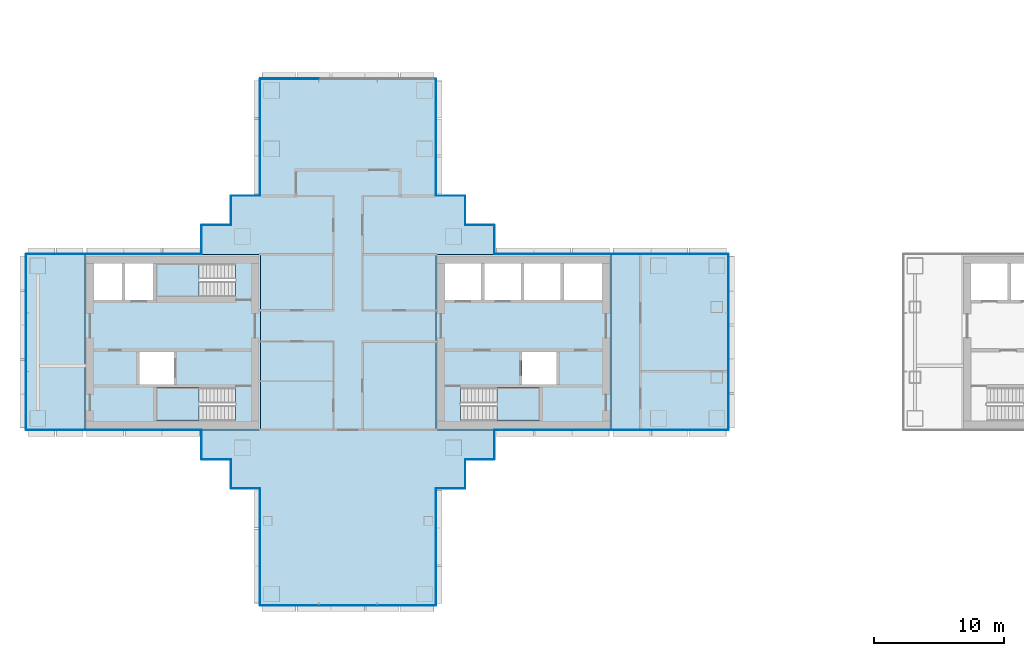
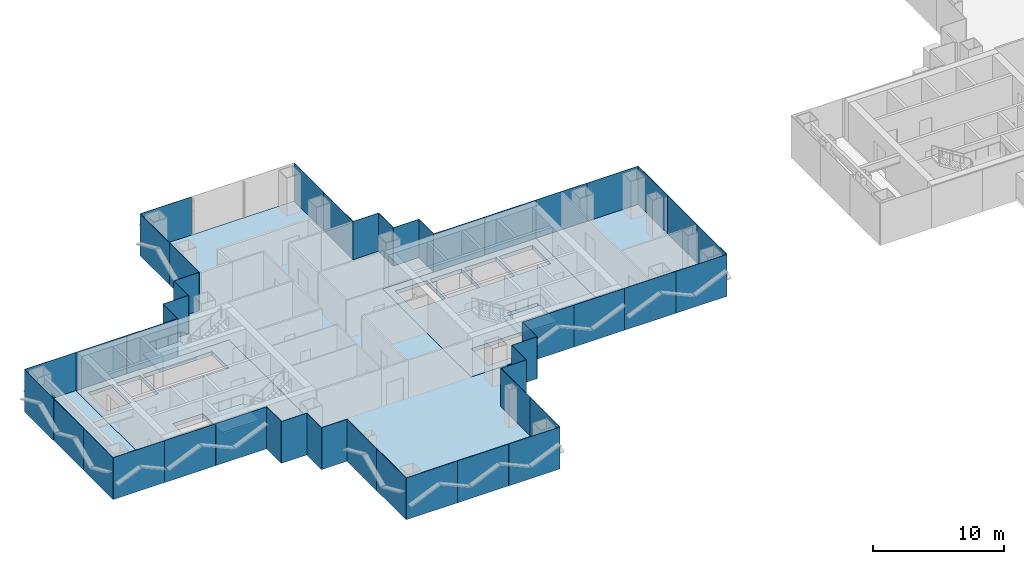
# One storey, part 8 of 19: 48 plates, 8 slabs, 23 elements without a shape of their own.
"""IFC4 building model written with IfcOpenShell, lengths in metres."""

from ifc_helpers import new_model, si_unit, direction, frame, origin, origin_2d, place, context, subcontext, project, spatial, polyline, rectangle, outline, extrude, material, layer, layer_set, type_object, element, aggregate, save


model = new_model("IFC4")

# Units and contexts
model_context = context("Model", 3, precision=1e-05, world=origin(), true_north=direction((0.0, 1.0)))
body_context = subcontext(model_context, "Body", "Model", "MODEL_VIEW")
ifc_project = project(units=[si_unit("LENGTHUNIT", "METRE"), si_unit("AREAUNIT", "SQUARE_METRE"), si_unit("VOLUMEUNIT", "CUBIC_METRE"), si_unit("PLANEANGLEUNIT", "RADIAN"), si_unit("MASSUNIT", "GRAM", prefix="KILO")], contexts=[model_context])

# Site, building, storey
site_placement = place(None, origin())
site = spatial("IfcSite", under=ifc_project, at=site_placement, CompositionType="ELEMENT")
building_placement = place(site_placement, origin())
building = spatial("IfcBuilding", under=site, at=building_placement, Name="Shamsa Quay Exchange Towers", CompositionType="ELEMENT")
storey_placement = place(building_placement, frame((0.0, 0.0, 93.60009765625)))
storey = spatial("IfcBuildingStorey", under=building, at=storey_placement, Name="L21", CompositionType="ELEMENT", Elevation=93.60009765625)

# Slabs
ifc_material_1 = material(Name="Concrete C50/60", Category="concrete")
ifc_layer_1 = layer(ifc_material_1, 0.35009765625)
ifc_layer_set_1 = layer_set([ifc_layer_1], Name="CORE FLOOR 350 C50/60")
slab_type_1 = type_object("IfcSlabType", Name="CORE FLOOR 350 C50/60", PredefinedType="FLOOR", material=ifc_layer_set_1)
slab_1_placement = place(storey_placement, frame((0.0, 0.0, -0.35009765625)))
element("IfcSlab", 1, at=slab_1_placement, inside=storey, type_object=slab_type_1, Name="Core floor T1A", PredefinedType="FLOOR", context=body_context, shape_type="SweptSolid", body=[
    extrude(outline(polyline([(-27.0, -6.75), (-13.5, -6.75), (-13.5, 6.75), (-27.0, 6.75), (-27.0, -6.75)]), holes=[polyline([(-25.099365234375, -6.050048828125), (-25.099365234375, -3.5), (-19.0, -3.5), (-19.0, -6.050048828125), (-25.099365234375, -6.050048828125)]), polyline([(-26.300048828125, 3.25), (-26.300048828125, 6.050048828125), (-23.5, 6.050048828125), (-23.5, 3.25), (-26.300048828125, 3.25)]), polyline([(-23.25, 3.25), (-23.25, 6.050048828125), (-20.449951171875, 6.050048828125), (-20.449951171875, 3.25), (-23.25, 3.25)]), polyline([(-20.199951171875, 3.25), (-20.199951171875, 6.050048828125), (-17.39990234375, 6.050048828125), (-17.39990234375, 3.25), (-20.199951171875, 3.25)]), polyline([(-17.14990234375, 3.25), (-17.14990234375, 6.050048828125), (-14.199951171875, 6.050048828125), (-14.199951171875, 3.25), (-17.14990234375, 3.25)]), polyline([(-20.35009765625, -3.25), (-20.35009765625, -0.75), (-17.699951171875, -0.75), (-17.699951171875, -3.25), (-20.35009765625, -3.25)])]), origin(), (0.0, 0.0, 1.0), 0.35009765625),
])
slab_2_placement = place(storey_placement, frame((0.0, 0.0, -0.35009765625)))
element("IfcSlab", 2, at=slab_2_placement, inside=storey, type_object=slab_type_1, Name="Core floor T1B", PredefinedType="FLOOR", context=body_context, shape_type="SweptSolid", body=[
    extrude(outline(polyline([(-40.5, -6.75), (-40.5, 6.75), (-54.0, 6.75), (-54.0, -6.75), (-40.5, -6.75)]), holes=[polyline([(-42.400634765625, -3.5), (-42.400634765625, -6.050048828125), (-48.5, -6.050048828125), (-48.5, -3.5), (-42.400634765625, -3.5)]), polyline([(-42.400634765625, 6.050048828125), (-42.400634765625, 3.5), (-48.5, 3.5), (-48.5, 6.050048828125), (-42.400634765625, 6.050048828125)]), polyline([(-48.75, 3.25), (-50.89990234375, 3.25), (-50.89990234375, 6.050048828125), (-48.75, 6.050048828125), (-48.75, 3.25)]), polyline([(-51.14990234375, 3.25), (-53.300048828125, 3.25), (-53.300048828125, 6.050048828125), (-51.14990234375, 6.050048828125), (-51.14990234375, 3.25)]), polyline([(-47.14990234375, -3.25), (-49.800048828125, -3.25), (-49.800048828125, -0.75), (-47.14990234375, -0.75), (-47.14990234375, -3.25)])]), origin(), (0.0, 0.0, 1.0), 0.35009765625),
])

# Stair, slab
ifc_material_2 = material(Name="Concrete C40/50", Category="concrete")
stair_type = type_object("IfcStairType", Name="EXIT STAIR 22 RISERS 177 MM", PredefinedType="HALF_TURN_STAIR", material=ifc_material_2)
stair_1_placement = place(storey_placement, origin())
stair_1 = element("IfcStair", 3, at=stair_1_placement, inside=storey, type_object=stair_type, Name="L21 Exit stair ST1", PredefinedType="HALF_TURN_STAIR")
ifc_layer_2 = layer(ifc_material_2, 0.199951171875)
ifc_layer_set_2 = layer_set([ifc_layer_2], Name="CORE STAIR LANDING")
slab_type_2 = type_object("IfcSlabType", Name="CORE STAIR LANDING", PredefinedType="LANDING", material=ifc_layer_set_2)
slab_3_placement = place(storey_placement, frame((0.0, 0.0, 1.75)))
slab_3 = element("IfcSlab", 4, at=slab_3_placement, type_object=slab_type_2, Name="ST1 landing 1", PredefinedType="LANDING", context=body_context, shape_type="SweptSolid", body=[
    extrude(outline(polyline([(-22.300048828125, -6.050048828125), (-19.0, -6.050048828125), (-19.0, -3.5), (-22.300048828125, -3.5), (-22.300048828125, -6.050048828125)])), origin(), (0.0, 0.0, 1.0), 0.199951171875),
])
aggregate(stair_1, [slab_3])

stair_2_placement = place(storey_placement, origin())
stair_2 = element("IfcStair", 5, at=stair_2_placement, inside=storey, type_object=stair_type, Name="L21 Exit stair ST2", PredefinedType="HALF_TURN_STAIR")
slab_4_placement = place(storey_placement, frame((0.0, 0.0, 1.75)))
slab_4 = element("IfcSlab", 6, at=slab_4_placement, type_object=slab_type_2, Name="ST2 landing 1", PredefinedType="LANDING", context=body_context, shape_type="SweptSolid", body=[
    extrude(outline(polyline([(-45.199951171875, -3.5), (-48.5, -3.5), (-48.5, -6.050048828125), (-45.199951171875, -6.050048828125), (-45.199951171875, -3.5)])), origin(), (0.0, 0.0, 1.0), 0.199951171875),
])
aggregate(stair_2, [slab_4])

stair_3_placement = place(storey_placement, origin())
stair_3 = element("IfcStair", 7, at=stair_3_placement, inside=storey, type_object=stair_type, Name="L21 Exit stair ST3", PredefinedType="HALF_TURN_STAIR")
slab_5_placement = place(storey_placement, frame((0.0, 0.0, 1.75)))
slab_5 = element("IfcSlab", 8, at=slab_5_placement, type_object=slab_type_2, Name="ST3 landing 1", PredefinedType="LANDING", context=body_context, shape_type="SweptSolid", body=[
    extrude(outline(polyline([(-45.199951171875, 6.050048828125), (-48.5, 6.050048828125), (-48.5, 3.5), (-45.199951171875, 3.5), (-45.199951171875, 6.050048828125)])), origin(), (0.0, 0.0, 1.0), 0.199951171875),
])
aggregate(stair_3, [slab_5])

# Curtain wall, plates
ifc_material_3 = material(Name="Aluminium EN AW-6063 T6, black anodised", Category="aluminium")
ifc_layer_3 = layer(ifc_material_3, 0.280029296875)
ifc_layer_set_3 = layer_set([ifc_layer_3], Name="CW-1 UNITISED VISION GLASS")
curtain_wall_type_1 = type_object("IfcCurtainWallType", Name="CW-1 UNITISED VISION GLASS", PredefinedType="NOTDEFINED", material=ifc_layer_set_3)
curtain_wall_1_placement = place(storey_placement, origin())
curtain_wall_1 = element("IfcCurtainWall", 9, at=curtain_wall_1_placement, inside=storey, type_object=curtain_wall_type_1, Name="CW1 T1-FLK-V-W L21", PredefinedType="NOTDEFINED")
ifc_material_4 = material(Name="Glass, laminated, dark tinted", Category="glass")
ifc_layer_4 = layer(ifc_material_4, 0.0400390625)
ifc_layer_set_4 = layer_set([ifc_layer_4], Name="CW-1 VISION GLASS 40")
plate_type_1 = type_object("IfcPlateType", Name="CW-1 VISION GLASS 40", PredefinedType="CURTAIN_PANEL", material=ifc_layer_set_4)
plate_1_placement = place(storey_placement, frame((-40.52001953125, -13.52587890625, -0.35009765625), z_axis=(0.0, 0.0, 1.0), x_axis=(0.0, -1.0, 0.0)))
plate_1 = element("IfcPlate", 10, at=plate_1_placement, type_object=plate_type_1, Name="CW1 glass panel", PredefinedType="CURTAIN_PANEL", context=body_context, shape_type="SweptSolid", body=[
    extrude(rectangle(XDim=4.47607421875, YDim=0.0400390625, at=origin_2d()), origin(), (0.0, 0.0, 1.0), 3.89990234375),
])
plate_2_placement = place(storey_placement, frame((-40.52001953125, -18.011962890625, -0.35009765625), z_axis=(0.0, 0.0, 1.0), x_axis=(0.0, -1.0, 0.0)))
plate_2 = element("IfcPlate", 11, at=plate_2_placement, type_object=plate_type_1, Name="CW1 glass panel", PredefinedType="CURTAIN_PANEL", context=body_context, shape_type="SweptSolid", body=[
    extrude(rectangle(XDim=4.47607421875, YDim=0.0400390625, at=origin_2d()), origin(), (0.0, 0.0, 1.0), 3.89990234375),
])
aggregate(curtain_wall_1, [plate_1, plate_2])

curtain_wall_2_placement = place(storey_placement, origin())
curtain_wall_2 = element("IfcCurtainWall", 12, at=curtain_wall_2_placement, inside=storey, type_object=curtain_wall_type_1, Name="CW1 T1-END-V- L21", PredefinedType="NOTDEFINED")
plate_3_placement = place(storey_placement, frame((-38.25244140625, -20.27001953125, -0.35009765625)))
plate_3 = element("IfcPlate", 13, at=plate_3_placement, type_object=plate_type_1, Name="CW1 glass panel", PredefinedType="CURTAIN_PANEL", context=body_context, shape_type="SweptSolid", body=[
    extrude(rectangle(XDim=4.4951171875, YDim=0.0400390625, at=origin_2d()), origin(), (0.0, 0.0, 1.0), 3.89990234375),
])
plate_4_placement = place(storey_placement, frame((-33.75, -20.27001953125, -0.35009765625)))
plate_4 = element("IfcPlate", 14, at=plate_4_placement, type_object=plate_type_1, Name="CW1 glass panel", PredefinedType="CURTAIN_PANEL", context=body_context, shape_type="SweptSolid", body=[
    extrude(rectangle(XDim=4.489990234375, YDim=0.0400390625, at=origin_2d()), origin(), (0.0, 0.0, 1.0), 3.89990234375),
])
plate_5_placement = place(storey_placement, frame((-29.24755859375, -20.27001953125, -0.35009765625)))
plate_5 = element("IfcPlate", 15, at=plate_5_placement, type_object=plate_type_1, Name="CW1 glass panel", PredefinedType="CURTAIN_PANEL", context=body_context, shape_type="SweptSolid", body=[
    extrude(rectangle(XDim=4.4951171875, YDim=0.0400390625, at=origin_2d()), origin(), (0.0, 0.0, 1.0), 3.89990234375),
])
aggregate(curtain_wall_2, [plate_3, plate_4, plate_5])

curtain_wall_3_placement = place(storey_placement, origin())
curtain_wall_3 = element("IfcCurtainWall", 16, at=curtain_wall_3_placement, inside=storey, type_object=curtain_wall_type_1, Name="CW1 T1-FLK-V-E L21", PredefinedType="NOTDEFINED")
plate_6_placement = place(storey_placement, frame((-26.97998046875, -18.00244140625, -0.35009765625), z_axis=(0.0, 0.0, 1.0), x_axis=(0.0, 1.0, 0.0)))
plate_6 = element("IfcPlate", 17, at=plate_6_placement, type_object=plate_type_1, Name="CW1 glass panel", PredefinedType="CURTAIN_PANEL", context=body_context, shape_type="SweptSolid", body=[
    extrude(rectangle(XDim=4.4951171875, YDim=0.0400390625, at=origin_2d()), origin(), (0.0, 0.0, 1.0), 3.89990234375),
])
plate_7_placement = place(storey_placement, frame((-26.97998046875, -13.49755859375, -0.35009765625), z_axis=(0.0, 0.0, 1.0), x_axis=(0.0, 1.0, 0.0)))
plate_7 = element("IfcPlate", 18, at=plate_7_placement, type_object=plate_type_1, Name="CW1 glass panel", PredefinedType="CURTAIN_PANEL", context=body_context, shape_type="SweptSolid", body=[
    extrude(rectangle(XDim=4.4951171875, YDim=0.0400390625, at=origin_2d()), origin(), (0.0, 0.0, 1.0), 3.89990234375),
])
aggregate(curtain_wall_3, [plate_6, plate_7])

curtain_wall_4_placement = place(storey_placement, origin())
curtain_wall_4 = element("IfcCurtainWall", 19, at=curtain_wall_4_placement, inside=storey, type_object=curtain_wall_type_1, Name="CW1 T1-FLK-U+S L21", PredefinedType="NOTDEFINED")
plate_8_placement = place(storey_placement, frame((-11.25244140625, -6.77001953125, -0.35009765625)))
plate_8 = element("IfcPlate", 20, at=plate_8_placement, type_object=plate_type_1, Name="CW1 glass panel", PredefinedType="CURTAIN_PANEL", context=body_context, shape_type="SweptSolid", body=[
    extrude(rectangle(XDim=4.4951171875, YDim=0.0400390625, at=origin_2d()), origin(), (0.0, 0.0, 1.0), 3.89990234375),
])
plate_9_placement = place(storey_placement, frame((-6.74755859375, -6.77001953125, -0.35009765625)))
plate_9 = element("IfcPlate", 21, at=plate_9_placement, type_object=plate_type_1, Name="CW1 glass panel", PredefinedType="CURTAIN_PANEL", context=body_context, shape_type="SweptSolid", body=[
    extrude(rectangle(XDim=4.4951171875, YDim=0.0400390625, at=origin_2d()), origin(), (0.0, 0.0, 1.0), 3.89990234375),
])
aggregate(curtain_wall_4, [plate_8, plate_9])

curtain_wall_5_placement = place(storey_placement, origin())
curtain_wall_5 = element("IfcCurtainWall", 22, at=curtain_wall_5_placement, inside=storey, type_object=curtain_wall_type_1, Name="CW1 T1-END-U+ L21", PredefinedType="NOTDEFINED")
plate_10_placement = place(storey_placement, frame((-4.47998046875, -4.50244140625, -0.35009765625), z_axis=(0.0, 0.0, 1.0), x_axis=(0.0, 1.0, 0.0)))
plate_10 = element("IfcPlate", 23, at=plate_10_placement, type_object=plate_type_1, Name="CW1 glass panel", PredefinedType="CURTAIN_PANEL", context=body_context, shape_type="SweptSolid", body=[
    extrude(rectangle(XDim=4.4951171875, YDim=0.0400390625, at=origin_2d()), origin(), (0.0, 0.0, 1.0), 3.89990234375),
])
plate_11_placement = place(storey_placement, frame((-4.47998046875, 0.0, -0.35009765625), z_axis=(0.0, 0.0, 1.0), x_axis=(0.0, 1.0, 0.0)))
plate_11 = element("IfcPlate", 24, at=plate_11_placement, type_object=plate_type_1, Name="CW1 glass panel", PredefinedType="CURTAIN_PANEL", context=body_context, shape_type="SweptSolid", body=[
    extrude(rectangle(XDim=4.489990234375, YDim=0.0400390625, at=origin_2d()), origin(), (0.0, 0.0, 1.0), 3.89990234375),
])
plate_12_placement = place(storey_placement, frame((-4.47998046875, 4.50244140625, -0.35009765625), z_axis=(0.0, 0.0, 1.0), x_axis=(0.0, 1.0, 0.0)))
plate_12 = element("IfcPlate", 25, at=plate_12_placement, type_object=plate_type_1, Name="CW1 glass panel", PredefinedType="CURTAIN_PANEL", context=body_context, shape_type="SweptSolid", body=[
    extrude(rectangle(XDim=4.4951171875, YDim=0.0400390625, at=origin_2d()), origin(), (0.0, 0.0, 1.0), 3.89990234375),
])
aggregate(curtain_wall_5, [plate_10, plate_11, plate_12])

curtain_wall_6_placement = place(storey_placement, origin())
curtain_wall_6 = element("IfcCurtainWall", 26, at=curtain_wall_6_placement, inside=storey, type_object=curtain_wall_type_1, Name="CW1 T1-FLK-U+N L21", PredefinedType="NOTDEFINED")
plate_13_placement = place(storey_placement, frame((-6.74755859375, 6.77001953125, -0.35009765625), z_axis=(0.0, 0.0, 1.0), x_axis=(-1.0, 0.0, 0.0)))
plate_13 = element("IfcPlate", 27, at=plate_13_placement, type_object=plate_type_1, Name="CW1 glass panel", PredefinedType="CURTAIN_PANEL", context=body_context, shape_type="SweptSolid", body=[
    extrude(rectangle(XDim=4.4951171875, YDim=0.0400390625, at=origin_2d()), origin(), (0.0, 0.0, 1.0), 3.89990234375),
])
plate_14_placement = place(storey_placement, frame((-11.25244140625, 6.77001953125, -0.35009765625), z_axis=(0.0, 0.0, 1.0), x_axis=(-1.0, 0.0, 0.0)))
plate_14 = element("IfcPlate", 28, at=plate_14_placement, type_object=plate_type_1, Name="CW1 glass panel", PredefinedType="CURTAIN_PANEL", context=body_context, shape_type="SweptSolid", body=[
    extrude(rectangle(XDim=4.4951171875, YDim=0.0400390625, at=origin_2d()), origin(), (0.0, 0.0, 1.0), 3.89990234375),
])
aggregate(curtain_wall_6, [plate_13, plate_14])

curtain_wall_7_placement = place(storey_placement, origin())
curtain_wall_7 = element("IfcCurtainWall", 29, at=curtain_wall_7_placement, inside=storey, type_object=curtain_wall_type_1, Name="CW1 T1-FLK-V+E L21", PredefinedType="NOTDEFINED")
plate_15_placement = place(storey_placement, frame((-26.97998046875, 13.52587890625, -0.35009765625), z_axis=(0.0, 0.0, 1.0), x_axis=(0.0, 1.0, 0.0)))
plate_15 = element("IfcPlate", 30, at=plate_15_placement, type_object=plate_type_1, Name="CW1 glass panel", PredefinedType="CURTAIN_PANEL", context=body_context, shape_type="SweptSolid", body=[
    extrude(rectangle(XDim=4.47607421875, YDim=0.0400390625, at=origin_2d()), origin(), (0.0, 0.0, 1.0), 3.89990234375),
])
plate_16_placement = place(storey_placement, frame((-26.97998046875, 18.011962890625, -0.35009765625), z_axis=(0.0, 0.0, 1.0), x_axis=(0.0, 1.0, 0.0)))
plate_16 = element("IfcPlate", 31, at=plate_16_placement, type_object=plate_type_1, Name="CW1 glass panel", PredefinedType="CURTAIN_PANEL", context=body_context, shape_type="SweptSolid", body=[
    extrude(rectangle(XDim=4.47607421875, YDim=0.0400390625, at=origin_2d()), origin(), (0.0, 0.0, 1.0), 3.89990234375),
])
aggregate(curtain_wall_7, [plate_15, plate_16])

# Curtain wall, plate
curtain_wall_8_placement = place(storey_placement, origin())
curtain_wall_8 = element("IfcCurtainWall", 32, at=curtain_wall_8_placement, inside=storey, type_object=curtain_wall_type_1, Name="CW1 T1-END-V+ L21", PredefinedType="NOTDEFINED")
plate_17_placement = place(storey_placement, frame((-38.25244140625, 20.27001953125, -0.35009765625), z_axis=(0.0, 0.0, 1.0), x_axis=(-1.0, 0.0, 0.0)))
plate_17 = element("IfcPlate", 33, at=plate_17_placement, type_object=plate_type_1, Name="CW1 glass panel", PredefinedType="CURTAIN_PANEL", context=body_context, shape_type="SweptSolid", body=[
    extrude(rectangle(XDim=4.4951171875, YDim=0.0400390625, at=origin_2d()), origin(), (0.0, 0.0, 1.0), 3.89990234375),
])
aggregate(curtain_wall_8, [plate_17])

# Curtain wall, plates
curtain_wall_9_placement = place(storey_placement, origin())
curtain_wall_9 = element("IfcCurtainWall", 34, at=curtain_wall_9_placement, inside=storey, type_object=curtain_wall_type_1, Name="CW1 T1-FLK-V+W L21", PredefinedType="NOTDEFINED")
plate_18_placement = place(storey_placement, frame((-40.52001953125, 18.00244140625, -0.35009765625), z_axis=(0.0, 0.0, 1.0), x_axis=(0.0, -1.0, 0.0)))
plate_18 = element("IfcPlate", 35, at=plate_18_placement, type_object=plate_type_1, Name="CW1 glass panel", PredefinedType="CURTAIN_PANEL", context=body_context, shape_type="SweptSolid", body=[
    extrude(rectangle(XDim=4.4951171875, YDim=0.0400390625, at=origin_2d()), origin(), (0.0, 0.0, 1.0), 3.89990234375),
])
plate_19_placement = place(storey_placement, frame((-40.52001953125, 13.49755859375, -0.35009765625), z_axis=(0.0, 0.0, 1.0), x_axis=(0.0, -1.0, 0.0)))
plate_19 = element("IfcPlate", 36, at=plate_19_placement, type_object=plate_type_1, Name="CW1 glass panel", PredefinedType="CURTAIN_PANEL", context=body_context, shape_type="SweptSolid", body=[
    extrude(rectangle(XDim=4.4951171875, YDim=0.0400390625, at=origin_2d()), origin(), (0.0, 0.0, 1.0), 3.89990234375),
])
aggregate(curtain_wall_9, [plate_18, plate_19])

# Curtain wall, plate
curtain_wall_10_placement = place(storey_placement, origin())
curtain_wall_10 = element("IfcCurtainWall", 37, at=curtain_wall_10_placement, inside=storey, type_object=curtain_wall_type_1, Name="CW1 T1-FLK-U-N L21", PredefinedType="NOTDEFINED")
plate_20_placement = place(storey_placement, frame((-56.25, 6.77001953125, -0.35009765625), z_axis=(0.0, 0.0, 1.0), x_axis=(-1.0, 0.0, 0.0)))
plate_20 = element("IfcPlate", 38, at=plate_20_placement, type_object=plate_type_1, Name="CW1 glass panel", PredefinedType="CURTAIN_PANEL", context=body_context, shape_type="SweptSolid", body=[
    extrude(rectangle(XDim=4.5, YDim=0.0400390625, at=origin_2d()), origin(), (0.0, 0.0, 1.0), 3.89990234375),
])
aggregate(curtain_wall_10, [plate_20])

# Curtain wall, plates
curtain_wall_11_placement = place(storey_placement, origin())
curtain_wall_11 = element("IfcCurtainWall", 39, at=curtain_wall_11_placement, inside=storey, type_object=curtain_wall_type_1, Name="CW1 T1-END-U- L21", PredefinedType="NOTDEFINED")
plate_21_placement = place(storey_placement, frame((-58.52001953125, 4.50244140625, -0.35009765625), z_axis=(0.0, 0.0, 1.0), x_axis=(0.0, -1.0, 0.0)))
plate_21 = element("IfcPlate", 40, at=plate_21_placement, type_object=plate_type_1, Name="CW1 glass panel", PredefinedType="CURTAIN_PANEL", context=body_context, shape_type="SweptSolid", body=[
    extrude(rectangle(XDim=4.4951171875, YDim=0.0400390625, at=origin_2d()), origin(), (0.0, 0.0, 1.0), 3.89990234375),
])
plate_22_placement = place(storey_placement, frame((-58.52001953125, 0.0, -0.35009765625), z_axis=(0.0, 0.0, 1.0), x_axis=(0.0, -1.0, 0.0)))
plate_22 = element("IfcPlate", 41, at=plate_22_placement, type_object=plate_type_1, Name="CW1 glass panel", PredefinedType="CURTAIN_PANEL", context=body_context, shape_type="SweptSolid", body=[
    extrude(rectangle(XDim=4.489990234375, YDim=0.0400390625, at=origin_2d()), origin(), (0.0, 0.0, 1.0), 3.89990234375),
])
plate_23_placement = place(storey_placement, frame((-58.52001953125, -4.50244140625, -0.35009765625), z_axis=(0.0, 0.0, 1.0), x_axis=(0.0, -1.0, 0.0)))
plate_23 = element("IfcPlate", 42, at=plate_23_placement, type_object=plate_type_1, Name="CW1 glass panel", PredefinedType="CURTAIN_PANEL", context=body_context, shape_type="SweptSolid", body=[
    extrude(rectangle(XDim=4.4951171875, YDim=0.0400390625, at=origin_2d()), origin(), (0.0, 0.0, 1.0), 3.89990234375),
])
aggregate(curtain_wall_11, [plate_21, plate_22, plate_23])

# Curtain wall, plate
curtain_wall_12_placement = place(storey_placement, origin())
curtain_wall_12 = element("IfcCurtainWall", 43, at=curtain_wall_12_placement, inside=storey, type_object=curtain_wall_type_1, Name="CW1 T1-FLK-U-S L21", PredefinedType="NOTDEFINED")
plate_24_placement = place(storey_placement, frame((-56.25, -6.77001953125, -0.35009765625)))
plate_24 = element("IfcPlate", 44, at=plate_24_placement, type_object=plate_type_1, Name="CW1 glass panel", PredefinedType="CURTAIN_PANEL", context=body_context, shape_type="SweptSolid", body=[
    extrude(rectangle(XDim=4.5, YDim=0.0400390625, at=origin_2d()), origin(), (0.0, 0.0, 1.0), 3.89990234375),
])
aggregate(curtain_wall_12, [plate_24])

# Curtain wall, plates
ifc_layer_5 = layer(ifc_material_3, 0.303955078125)
ifc_layer_set_5 = layer_set([ifc_layer_5], Name="CW-2 UNITISED OPAQUE SPANDREL GLASS")
curtain_wall_type_2 = type_object("IfcCurtainWallType", Name="CW-2 UNITISED OPAQUE SPANDREL GLASS", PredefinedType="NOTDEFINED", material=ifc_layer_set_5)
curtain_wall_13_placement = place(storey_placement, origin())
curtain_wall_13 = element("IfcCurtainWall", 45, at=curtain_wall_13_placement, inside=storey, type_object=curtain_wall_type_2, Name="CW2 T1-FLK-U+S L21", PredefinedType="NOTDEFINED")
ifc_material_5 = material(Name="Glass, laminated, black enamelled opaque", Category="glass")
ifc_layer_6 = layer(ifc_material_5, 0.0439453125)
ifc_layer_set_6 = layer_set([ifc_layer_6], Name="CW-2 SPANDREL GLASS 44")
plate_type_2 = type_object("IfcPlateType", Name="CW-2 SPANDREL GLASS 44", PredefinedType="CURTAIN_PANEL", material=ifc_layer_set_6)
plate_25_placement = place(storey_placement, frame((-20.22412109375, -6.77197265625, -0.35009765625)))
plate_25 = element("IfcPlate", 46, at=plate_25_placement, type_object=plate_type_2, Name="CW2 glass panel", PredefinedType="CURTAIN_PANEL", context=body_context, shape_type="SweptSolid", body=[
    extrude(rectangle(XDim=4.47607421875, YDim=0.0439453125, at=origin_2d()), origin(), (0.0, 0.0, 1.0), 3.89990234375),
])
plate_26_placement = place(storey_placement, frame((-15.738037109375, -6.77197265625, -0.35009765625)))
plate_26 = element("IfcPlate", 47, at=plate_26_placement, type_object=plate_type_2, Name="CW2 glass panel", PredefinedType="CURTAIN_PANEL", context=body_context, shape_type="SweptSolid", body=[
    extrude(rectangle(XDim=4.47607421875, YDim=0.0439453125, at=origin_2d()), origin(), (0.0, 0.0, 1.0), 3.89990234375),
])
aggregate(curtain_wall_13, [plate_25, plate_26])

curtain_wall_14_placement = place(storey_placement, origin())
curtain_wall_14 = element("IfcCurtainWall", 48, at=curtain_wall_14_placement, inside=storey, type_object=curtain_wall_type_2, Name="CW2 T1-FLK-U+N L21", PredefinedType="NOTDEFINED")
plate_27_placement = place(storey_placement, frame((-15.74755859375, 6.77197265625, -0.35009765625), z_axis=(0.0, 0.0, 1.0), x_axis=(-1.0, 0.0, 0.0)))
plate_27 = element("IfcPlate", 49, at=plate_27_placement, type_object=plate_type_2, Name="CW2 glass panel", PredefinedType="CURTAIN_PANEL", context=body_context, shape_type="SweptSolid", body=[
    extrude(rectangle(XDim=4.4951171875, YDim=0.0439453125, at=origin_2d()), origin(), (0.0, 0.0, 1.0), 3.89990234375),
])
plate_28_placement = place(storey_placement, frame((-20.25244140625, 6.77197265625, -0.35009765625), z_axis=(0.0, 0.0, 1.0), x_axis=(-1.0, 0.0, 0.0)))
plate_28 = element("IfcPlate", 50, at=plate_28_placement, type_object=plate_type_2, Name="CW2 glass panel", PredefinedType="CURTAIN_PANEL", context=body_context, shape_type="SweptSolid", body=[
    extrude(rectangle(XDim=4.4951171875, YDim=0.0439453125, at=origin_2d()), origin(), (0.0, 0.0, 1.0), 3.89990234375),
])
aggregate(curtain_wall_14, [plate_27, plate_28])

curtain_wall_15_placement = place(storey_placement, origin())
curtain_wall_15 = element("IfcCurtainWall", 51, at=curtain_wall_15_placement, inside=storey, type_object=curtain_wall_type_2, Name="CW2 T1-FLK-U-N L21", PredefinedType="NOTDEFINED")
plate_29_placement = place(storey_placement, frame((-47.27587890625, 6.77197265625, -0.35009765625), z_axis=(0.0, 0.0, 1.0), x_axis=(-1.0, 0.0, 0.0)))
plate_29 = element("IfcPlate", 52, at=plate_29_placement, type_object=plate_type_2, Name="CW2 glass panel", PredefinedType="CURTAIN_PANEL", context=body_context, shape_type="SweptSolid", body=[
    extrude(rectangle(XDim=4.47607421875, YDim=0.0439453125, at=origin_2d()), origin(), (0.0, 0.0, 1.0), 3.89990234375),
])
plate_30_placement = place(storey_placement, frame((-51.761962890625, 6.77197265625, -0.35009765625), z_axis=(0.0, 0.0, 1.0), x_axis=(-1.0, 0.0, 0.0)))
plate_30 = element("IfcPlate", 53, at=plate_30_placement, type_object=plate_type_2, Name="CW2 glass panel", PredefinedType="CURTAIN_PANEL", context=body_context, shape_type="SweptSolid", body=[
    extrude(rectangle(XDim=4.47607421875, YDim=0.0439453125, at=origin_2d()), origin(), (0.0, 0.0, 1.0), 3.89990234375),
])
aggregate(curtain_wall_15, [plate_29, plate_30])

curtain_wall_16_placement = place(storey_placement, origin())
curtain_wall_16 = element("IfcCurtainWall", 54, at=curtain_wall_16_placement, inside=storey, type_object=curtain_wall_type_2, Name="CW2 T1-FLK-U-S L21", PredefinedType="NOTDEFINED")
plate_31_placement = place(storey_placement, frame((-51.75244140625, -6.77197265625, -0.35009765625)))
plate_31 = element("IfcPlate", 55, at=plate_31_placement, type_object=plate_type_2, Name="CW2 glass panel", PredefinedType="CURTAIN_PANEL", context=body_context, shape_type="SweptSolid", body=[
    extrude(rectangle(XDim=4.4951171875, YDim=0.0439453125, at=origin_2d()), origin(), (0.0, 0.0, 1.0), 3.89990234375),
])
plate_32_placement = place(storey_placement, frame((-47.24755859375, -6.77197265625, -0.35009765625)))
plate_32 = element("IfcPlate", 56, at=plate_32_placement, type_object=plate_type_2, Name="CW2 glass panel", PredefinedType="CURTAIN_PANEL", context=body_context, shape_type="SweptSolid", body=[
    extrude(rectangle(XDim=4.4951171875, YDim=0.0439453125, at=origin_2d()), origin(), (0.0, 0.0, 1.0), 3.89990234375),
])
aggregate(curtain_wall_16, [plate_31, plate_32])

ifc_layer_7 = layer(ifc_material_3, 0.256103515625)
ifc_layer_set_7 = layer_set([ifc_layer_7], Name="CW-4 POCKET SERRATED GLAZING")
curtain_wall_type_3 = type_object("IfcCurtainWallType", Name="CW-4 POCKET SERRATED GLAZING", PredefinedType="NOTDEFINED", material=ifc_layer_set_7)
curtain_wall_17_placement = place(storey_placement, origin())
curtain_wall_17 = element("IfcCurtainWall", 57, at=curtain_wall_17_placement, inside=storey, type_object=curtain_wall_type_3, Name="CW4 PKWS L21", PredefinedType="NOTDEFINED")
ifc_layer_8 = layer(ifc_material_4, 0.035888671875)
ifc_layer_set_8 = layer_set([ifc_layer_8], Name="CW-4 POCKET GLASS 36")
plate_type_3 = type_object("IfcPlateType", Name="CW-4 POCKET GLASS 36", PredefinedType="CURTAIN_PANEL", material=ifc_layer_set_8)
plate_33_placement = place(storey_placement, frame((-42.76806640625, -10.14404296875, -0.35009765625), z_axis=(0.0, 0.0, 1.0), x_axis=(0.0, -1.0, 0.0)))
plate_33 = element("IfcPlate", 58, at=plate_33_placement, type_object=plate_type_3, Name="CW4 glass panel", PredefinedType="CURTAIN_PANEL", context=body_context, shape_type="SweptSolid", body=[
    extrude(rectangle(XDim=2.2119140625, YDim=0.035888671875, at=origin_2d()), origin(), (0.0, 0.0, 1.0), 3.89990234375),
])
plate_34_placement = place(storey_placement, frame((-41.625, -11.26806640625, -0.35009765625)))
plate_34 = element("IfcPlate", 59, at=plate_34_placement, type_object=plate_type_3, Name="CW4 glass panel", PredefinedType="CURTAIN_PANEL", context=body_context, shape_type="SweptSolid", body=[
    extrude(rectangle(XDim=2.25, YDim=0.035888671875, at=origin_2d()), origin(), (0.0, 0.0, 1.0), 3.89990234375),
])
plate_35_placement = place(storey_placement, frame((-45.01806640625, -7.89794921875, -0.35009765625), z_axis=(0.0, 0.0, 1.0), x_axis=(0.0, -1.0, 0.0)))
plate_35 = element("IfcPlate", 60, at=plate_35_placement, type_object=plate_type_3, Name="CW4 glass panel", PredefinedType="CURTAIN_PANEL", context=body_context, shape_type="SweptSolid", body=[
    extrude(rectangle(XDim=2.2041015625, YDim=0.035888671875, at=origin_2d()), origin(), (0.0, 0.0, 1.0), 3.89990234375),
])
plate_36_placement = place(storey_placement, frame((-43.875, -9.01806640625, -0.35009765625)))
plate_36 = element("IfcPlate", 61, at=plate_36_placement, type_object=plate_type_3, Name="CW4 glass panel", PredefinedType="CURTAIN_PANEL", context=body_context, shape_type="SweptSolid", body=[
    extrude(rectangle(XDim=2.25, YDim=0.035888671875, at=origin_2d()), origin(), (0.0, 0.0, 1.0), 3.89990234375),
])
aggregate(curtain_wall_17, [plate_33, plate_34, plate_35, plate_36])

curtain_wall_18_placement = place(storey_placement, origin())
curtain_wall_18 = element("IfcCurtainWall", 62, at=curtain_wall_18_placement, inside=storey, type_object=curtain_wall_type_3, Name="CW4 PKES L21", PredefinedType="NOTDEFINED")
plate_37_placement = place(storey_placement, frame((-25.85400390625, -11.26806640625, -0.35009765625)))
plate_37 = element("IfcPlate", 63, at=plate_37_placement, type_object=plate_type_3, Name="CW4 glass panel", PredefinedType="CURTAIN_PANEL", context=body_context, shape_type="SweptSolid", body=[
    extrude(rectangle(XDim=2.2080078125, YDim=0.035888671875, at=origin_2d()), origin(), (0.0, 0.0, 1.0), 3.89990234375),
])
plate_38_placement = place(storey_placement, frame((-24.73193359375, -10.125, -0.35009765625), z_axis=(0.0, 0.0, 1.0), x_axis=(0.0, 1.0, 0.0)))
plate_38 = element("IfcPlate", 64, at=plate_38_placement, type_object=plate_type_3, Name="CW4 glass panel", PredefinedType="CURTAIN_PANEL", context=body_context, shape_type="SweptSolid", body=[
    extrude(rectangle(XDim=2.25, YDim=0.035888671875, at=origin_2d()), origin(), (0.0, 0.0, 1.0), 3.89990234375),
])
plate_39_placement = place(storey_placement, frame((-23.60595703125, -9.01806640625, -0.35009765625)))
plate_39 = element("IfcPlate", 65, at=plate_39_placement, type_object=plate_type_3, Name="CW4 glass panel", PredefinedType="CURTAIN_PANEL", context=body_context, shape_type="SweptSolid", body=[
    extrude(rectangle(XDim=2.2119140625, YDim=0.035888671875, at=origin_2d()), origin(), (0.0, 0.0, 1.0), 3.89990234375),
])
plate_40_placement = place(storey_placement, frame((-22.48193359375, -7.875, -0.35009765625), z_axis=(0.0, 0.0, 1.0), x_axis=(0.0, 1.0, 0.0)))
plate_40 = element("IfcPlate", 66, at=plate_40_placement, type_object=plate_type_3, Name="CW4 glass panel", PredefinedType="CURTAIN_PANEL", context=body_context, shape_type="SweptSolid", body=[
    extrude(rectangle(XDim=2.25, YDim=0.035888671875, at=origin_2d()), origin(), (0.0, 0.0, 1.0), 3.89990234375),
])
aggregate(curtain_wall_18, [plate_37, plate_38, plate_39, plate_40])

curtain_wall_19_placement = place(storey_placement, origin())
curtain_wall_19 = element("IfcCurtainWall", 67, at=curtain_wall_19_placement, inside=storey, type_object=curtain_wall_type_3, Name="CW4 PKEN L21", PredefinedType="NOTDEFINED")
plate_41_placement = place(storey_placement, frame((-22.48193359375, 7.89794921875, -0.35009765625), z_axis=(0.0, 0.0, 1.0), x_axis=(0.0, 1.0, 0.0)))
plate_41 = element("IfcPlate", 68, at=plate_41_placement, type_object=plate_type_3, Name="CW4 glass panel", PredefinedType="CURTAIN_PANEL", context=body_context, shape_type="SweptSolid", body=[
    extrude(rectangle(XDim=2.2041015625, YDim=0.035888671875, at=origin_2d()), origin(), (0.0, 0.0, 1.0), 3.89990234375),
])
plate_42_placement = place(storey_placement, frame((-23.625, 9.01806640625, -0.35009765625), z_axis=(0.0, 0.0, 1.0), x_axis=(-1.0, 0.0, 0.0)))
plate_42 = element("IfcPlate", 69, at=plate_42_placement, type_object=plate_type_3, Name="CW4 glass panel", PredefinedType="CURTAIN_PANEL", context=body_context, shape_type="SweptSolid", body=[
    extrude(rectangle(XDim=2.25, YDim=0.035888671875, at=origin_2d()), origin(), (0.0, 0.0, 1.0), 3.89990234375),
])
plate_43_placement = place(storey_placement, frame((-24.73193359375, 10.14404296875, -0.35009765625), z_axis=(0.0, 0.0, 1.0), x_axis=(0.0, 1.0, 0.0)))
plate_43 = element("IfcPlate", 70, at=plate_43_placement, type_object=plate_type_3, Name="CW4 glass panel", PredefinedType="CURTAIN_PANEL", context=body_context, shape_type="SweptSolid", body=[
    extrude(rectangle(XDim=2.2119140625, YDim=0.035888671875, at=origin_2d()), origin(), (0.0, 0.0, 1.0), 3.89990234375),
])
plate_44_placement = place(storey_placement, frame((-25.875, 11.26806640625, -0.35009765625), z_axis=(0.0, 0.0, 1.0), x_axis=(-1.0, 0.0, 0.0)))
plate_44 = element("IfcPlate", 71, at=plate_44_placement, type_object=plate_type_3, Name="CW4 glass panel", PredefinedType="CURTAIN_PANEL", context=body_context, shape_type="SweptSolid", body=[
    extrude(rectangle(XDim=2.25, YDim=0.035888671875, at=origin_2d()), origin(), (0.0, 0.0, 1.0), 3.89990234375),
])
aggregate(curtain_wall_19, [plate_41, plate_42, plate_43, plate_44])

curtain_wall_20_placement = place(storey_placement, origin())
curtain_wall_20 = element("IfcCurtainWall", 72, at=curtain_wall_20_placement, inside=storey, type_object=curtain_wall_type_3, Name="CW4 PKWN L21", PredefinedType="NOTDEFINED")
plate_45_placement = place(storey_placement, frame((-41.64599609375, 11.26806640625, -0.35009765625), z_axis=(0.0, 0.0, 1.0), x_axis=(-1.0, 0.0, 0.0)))
plate_45 = element("IfcPlate", 73, at=plate_45_placement, type_object=plate_type_3, Name="CW4 glass panel", PredefinedType="CURTAIN_PANEL", context=body_context, shape_type="SweptSolid", body=[
    extrude(rectangle(XDim=2.2080078125, YDim=0.035888671875, at=origin_2d()), origin(), (0.0, 0.0, 1.0), 3.89990234375),
])
plate_46_placement = place(storey_placement, frame((-42.76806640625, 10.125, -0.35009765625), z_axis=(0.0, 0.0, 1.0), x_axis=(0.0, -1.0, 0.0)))
plate_46 = element("IfcPlate", 74, at=plate_46_placement, type_object=plate_type_3, Name="CW4 glass panel", PredefinedType="CURTAIN_PANEL", context=body_context, shape_type="SweptSolid", body=[
    extrude(rectangle(XDim=2.25, YDim=0.035888671875, at=origin_2d()), origin(), (0.0, 0.0, 1.0), 3.89990234375),
])
plate_47_placement = place(storey_placement, frame((-43.89404296875, 9.01806640625, -0.35009765625), z_axis=(0.0, 0.0, 1.0), x_axis=(-1.0, 0.0, 0.0)))
plate_47 = element("IfcPlate", 75, at=plate_47_placement, type_object=plate_type_3, Name="CW4 glass panel", PredefinedType="CURTAIN_PANEL", context=body_context, shape_type="SweptSolid", body=[
    extrude(rectangle(XDim=2.2119140625, YDim=0.035888671875, at=origin_2d()), origin(), (0.0, 0.0, 1.0), 3.89990234375),
])
plate_48_placement = place(storey_placement, frame((-45.01806640625, 7.875, -0.35009765625), z_axis=(0.0, 0.0, 1.0), x_axis=(0.0, -1.0, 0.0)))
plate_48 = element("IfcPlate", 76, at=plate_48_placement, type_object=plate_type_3, Name="CW4 glass panel", PredefinedType="CURTAIN_PANEL", context=body_context, shape_type="SweptSolid", body=[
    extrude(rectangle(XDim=2.25, YDim=0.035888671875, at=origin_2d()), origin(), (0.0, 0.0, 1.0), 3.89990234375),
])
aggregate(curtain_wall_20, [plate_45, plate_46, plate_47, plate_48])

# Slabs
ifc_layer_9 = layer(ifc_material_2, 0.35009765625)
ifc_layer_set_9 = layer_set([ifc_layer_9], Name="Flat slab 350")
slab_type_3 = type_object("IfcSlabType", Name="Flat slab 350", PredefinedType="FLOOR", material=ifc_layer_set_9)
slab_6_placement = place(storey_placement, frame((0.0, 0.0, -0.35009765625)))
element("IfcSlab", 77, at=slab_6_placement, inside=storey, type_object=slab_type_3, Name="Flat slab T1 L21 1", PredefinedType="FLOOR", context=body_context, shape_type="SweptSolid", body=[
    extrude(outline(polyline([(-58.5, -6.75), (-54.0, -6.75), (-54.0, 6.75), (-58.5, 6.75), (-58.5, -6.75)])), origin(), (0.0, 0.0, 1.0), 0.35009765625),
])
slab_7_placement = place(storey_placement, frame((0.0, 0.0, -0.35009765625)))
element("IfcSlab", 78, at=slab_7_placement, inside=storey, type_object=slab_type_3, Name="Flat slab T1 L21 2", PredefinedType="FLOOR", context=body_context, shape_type="SweptSolid", body=[
    extrude(outline(polyline([(-22.5, -9.0), (-22.5, -6.75), (-27.0, -6.75), (-27.0, 6.75), (-22.5, 6.75), (-22.5, 9.0), (-24.75, 9.0), (-24.75, 11.25), (-27.0, 11.25), (-27.0, 20.25), (-40.5, 20.25), (-40.5, 11.25), (-42.75, 11.25), (-42.75, 9.0), (-45.0, 9.0), (-45.0, 6.75), (-40.5, 6.75), (-40.5, -6.75), (-45.0, -6.75), (-45.0, -9.0), (-42.75, -9.0), (-42.75, -11.25), (-40.5, -11.25), (-40.5, -20.25), (-27.0, -20.25), (-27.0, -11.25), (-24.75, -11.25), (-24.75, -9.0), (-22.5, -9.0)])), origin(), (0.0, 0.0, 1.0), 0.35009765625),
])
slab_8_placement = place(storey_placement, frame((0.0, 0.0, -0.35009765625)))
element("IfcSlab", 79, at=slab_8_placement, inside=storey, type_object=slab_type_3, Name="Flat slab T1 L21 3", PredefinedType="FLOOR", context=body_context, shape_type="SweptSolid", body=[
    extrude(outline(polyline([(-4.5, 6.75), (-13.5, 6.75), (-13.5, -6.75), (-4.5, -6.75), (-4.5, 6.75)])), origin(), (0.0, 0.0, 1.0), 0.35009765625),
])

save(model, "model.ifc")
